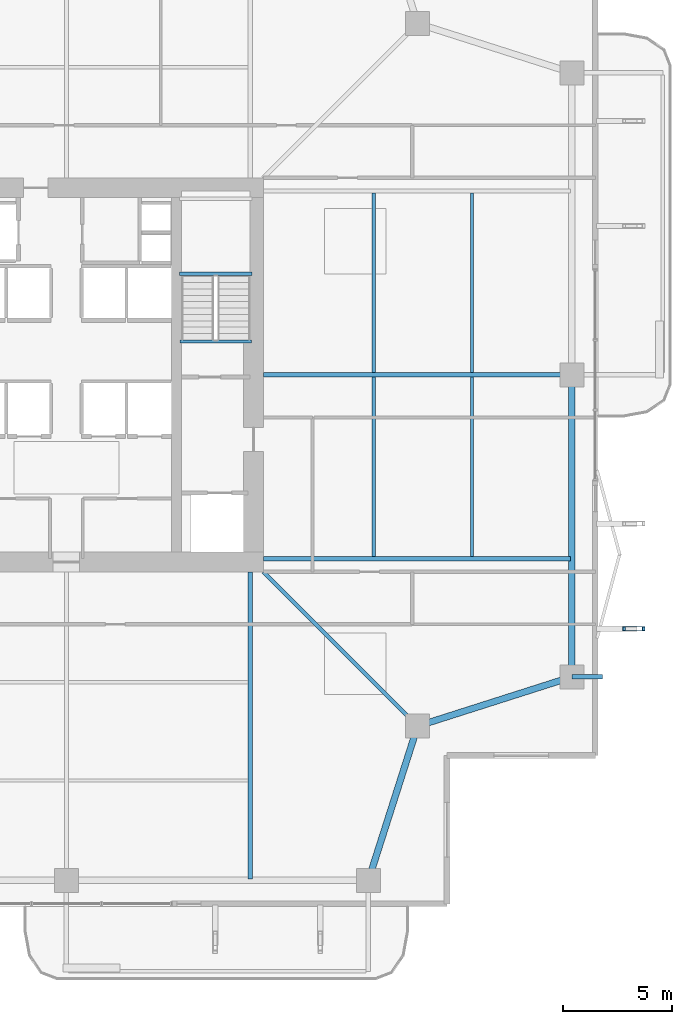
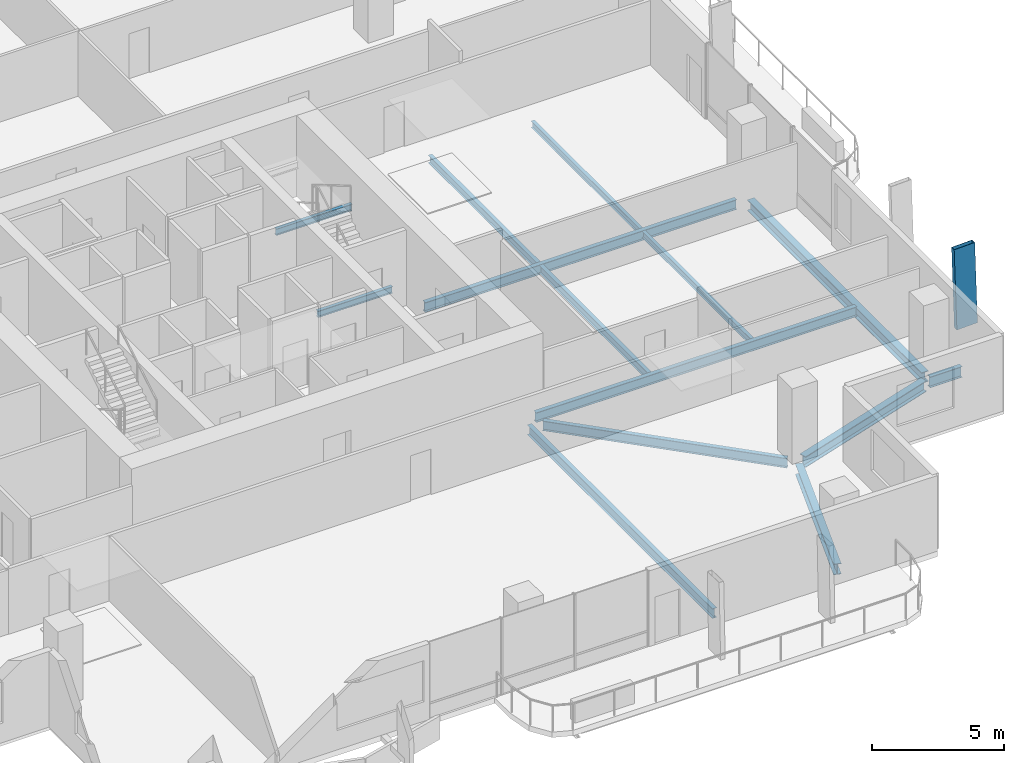
# One storey, part 9 of 24: 14 beams, 1 member.
"""IFC4 building model written with IfcOpenShell, lengths in metres."""

from ifc_helpers import new_model, si_unit, direction, frame, origin, origin_2d, place, context, subcontext, project, spatial, hollow_rectangle, i_section, extrude, material, material_profile, profile_set, type_object, element, save


model = new_model("IFC4")

# Units and contexts
model_context = context("Model", 3, precision=1e-05, world=origin(), true_north=direction((0.0, 1.0)))
body_context = subcontext(model_context, "Body", "Model", "MODEL_VIEW")
ifc_project = project(units=[si_unit("LENGTHUNIT", "METRE"), si_unit("AREAUNIT", "SQUARE_METRE"), si_unit("VOLUMEUNIT", "CUBIC_METRE"), si_unit("PLANEANGLEUNIT", "RADIAN"), si_unit("MASSUNIT", "GRAM", prefix="KILO")], contexts=[model_context])

# Site, building, storey
site_placement = place(None, origin())
site = spatial("IfcSite", under=ifc_project, at=site_placement, CompositionType="ELEMENT")
building_placement = place(site_placement, origin())
building = spatial("IfcBuilding", under=site, at=building_placement, Name="Belovzor Exchange Tower", CompositionType="ELEMENT")
storey_placement = place(building_placement, frame((0.0, 0.0, 145.800048828125)))
storey = spatial("IfcBuildingStorey", under=building, at=storey_placement, Name="L35", CompositionType="ELEMENT", Elevation=145.800048828125)

# Beams
ifc_material_1 = material(Name="Steel S355", Category="steel")
ifc_material_profile_1 = material_profile(ifc_material_1, i_section(OverallWidth=0.199951171875, OverallDepth=0.5, WebThickness=0.01025390625, FlangeThickness=0.01611328125, at=origin_2d()))
ifc_profile_set_1 = profile_set([ifc_material_profile_1], Name="Steel S355")
beam_type_1 = type_object("IfcBeamType", Name="Planted Balcony Cantilever Beam IPE 500", PredefinedType="BEAM", material=ifc_profile_set_1)
beam_1_placement = place(storey_placement, frame((51.89990234375, 15.0, -0.505126953125), z_axis=(1.0, 0.0, 0.0), x_axis=(0.0, 1.0, 0.0)))
element("IfcBeam", 1, at=beam_1_placement, inside=storey, type_object=beam_type_1, Name="BC-500 Planted Balcony Cantilever Beam IPE 500", PredefinedType="BEAM", context=body_context, shape_type="SweptSolid", body=[
    extrude(i_section(OverallWidth=0.199951171875, OverallDepth=0.5, WebThickness=0.01025390625, FlangeThickness=0.01611328125, at=origin_2d()), origin(), (0.0, 0.0, 1.0), 1.400146484375),
])
ifc_material_2 = material(Name="Steel S355", Category="steel")
ifc_material_profile_2 = material_profile(ifc_material_2, i_section(OverallWidth=0.169921875, OverallDepth=0.360107421875, WebThickness=0.008056640625, FlangeThickness=0.0126953125, at=origin_2d()))
ifc_profile_set_2 = profile_set([ifc_material_profile_2], Name="Steel S355")
beam_type_2 = type_object("IfcBeamType", Name="Secondary Infill Floor Joist IPE 360", PredefinedType="BEAM", material=ifc_profile_set_2)
for number, where, z_axis, x_axis, name in (
    (2, (42.84912109375, 20.4951171875, -0.43505859375), (0.0, 1.0, 0.0), (-1.0, 0.0, 0.0), "FJ-360 Secondary Infill Floor Joist IPE 360"),
    (3, (42.84912109375, 28.89501953125, -0.43505859375), (0.0, 1.0, 0.0), (-1.0, 0.0, 0.0), "FJ-360 Secondary Infill Floor Joist IPE 360"),
):
    element("IfcBeam", number, at=place(storey_placement, frame(where, z_axis=z_axis, x_axis=x_axis)), inside=storey, type_object=beam_type_2, Name=name, PredefinedType="BEAM", context=body_context, shape_type="SweptSolid", body=[
        extrude(i_section(OverallWidth=0.169921875, OverallDepth=0.360107421875, WebThickness=0.008056640625, FlangeThickness=0.0126953125, at=origin_2d()), origin(), (0.0, 0.0, 1.0), 8.2099609375),
    ])
ifc_material_3 = material(Name="Steel S355", Category="steel")
ifc_material_profile_3 = material_profile(ifc_material_3, i_section(OverallWidth=0.14990234375, OverallDepth=0.300048828125, WebThickness=0.007080078125, FlangeThickness=0.0107421875, at=origin_2d()))
ifc_profile_set_3 = profile_set([ifc_material_profile_3], Name="Steel S355")
beam_type_3 = type_object("IfcBeamType", Name="Secondary Trim Floor Joist IPE 300", PredefinedType="BEAM", material=ifc_profile_set_3)
beam_2_placement = place(storey_placement, frame((37.280029296875, 33.419921875, 1.52490234375), z_axis=(-1.0, 0.0, 0.0), x_axis=(0.0, -1.0, 0.0)))
element("IfcBeam", 4, at=beam_2_placement, inside=storey, type_object=beam_type_3, Name="FJ-300 Secondary Trim Floor Joist IPE 300", PredefinedType="BEAM", context=body_context, shape_type="SweptSolid", body=[
    extrude(i_section(OverallWidth=0.14990234375, OverallDepth=0.300048828125, WebThickness=0.007080078125, FlangeThickness=0.0107421875, at=origin_2d()), origin(), (0.0, 0.0, 1.0), 3.31005859375),
])
beam_3_placement = place(storey_placement, frame((37.260009765625, 30.320068359375, -0.405029296875), z_axis=(-1.0, 0.0, 0.0), x_axis=(0.0, -1.0, 0.0)))
element("IfcBeam", 5, at=beam_3_placement, inside=storey, type_object=beam_type_3, Name="FJ-300 Secondary Trim Floor Joist IPE 300", PredefinedType="BEAM", context=body_context, shape_type="SweptSolid", body=[
    extrude(i_section(OverallWidth=0.14990234375, OverallDepth=0.300048828125, WebThickness=0.007080078125, FlangeThickness=0.0107421875, at=origin_2d()), origin(), (0.0, 0.0, 1.0), 3.27001953125),
])
for number, where, z_axis, x_axis, name in (
    (6, (47.3369140625, 20.4951171875, -0.405029296875), (0.0, 1.0, 0.0), (-1.0, 0.0, 0.0), "FJ-300 Secondary Trim Floor Joist IPE 300"),
    (7, (47.3369140625, 28.89501953125, -0.405029296875), (0.0, 1.0, 0.0), (-1.0, 0.0, 0.0), "FJ-300 Secondary Trim Floor Joist IPE 300"),
):
    element("IfcBeam", number, at=place(storey_placement, frame(where, z_axis=z_axis, x_axis=x_axis)), inside=storey, type_object=beam_type_3, Name=name, PredefinedType="BEAM", context=body_context, shape_type="SweptSolid", body=[
        extrude(i_section(OverallWidth=0.14990234375, OverallDepth=0.300048828125, WebThickness=0.007080078125, FlangeThickness=0.0107421875, at=origin_2d()), origin(), (0.0, 0.0, 1.0), 8.2099609375),
    ])

# Member
ifc_material_4 = material(Name="Extruded Architectural Terracotta on Steel S355 Carrier", Category="masonry")
ifc_material_profile_4 = material_profile(ifc_material_4, hollow_rectangle(XDim=0.199951171875, YDim=0.89990234375, WallThickness=0.011962890625, at=origin_2d()))
ifc_profile_set_4 = profile_set([ifc_material_profile_4], Name="Extruded Architectural Terracotta on Steel S355 Carrier")
member_type = type_object("IfcMemberType", Name="Sweeping Terracotta Baguette Fin Assembly 1250", PredefinedType="USERDEFINED", material=ifc_profile_set_4)
member_placement = place(storey_placement, frame((54.782958984375, 17.199951171875, -0.255126953125), z_axis=(-0.031689805028, 0.0, 0.999497752002), x_axis=(0.0, -1.0, 0.0)))
element("IfcMember", 8, at=member_placement, inside=storey, type_object=member_type, Name="FIN-TC125 Terracotta Facade Fin L35 E1", ObjectType="FIN", PredefinedType="USERDEFINED", context=body_context, shape_type="SweptSolid", body=[
    extrude(hollow_rectangle(XDim=0.199951171875, YDim=0.89990234375, WallThickness=0.011962890625, at=origin_2d()), origin(), (0.0, 0.0, 1.0), 3.751953125),
])

# Beams
ifc_material_5 = material(Name="Steel S355", Category="steel")
ifc_material_profile_5 = material_profile(ifc_material_5, i_section(OverallWidth=0.18994140625, OverallDepth=0.449951171875, WebThickness=0.009521484375, FlangeThickness=0.0146484375, at=origin_2d()))
ifc_profile_set_5 = profile_set([ifc_material_profile_5], Name="Steel S355")
beam_type_4 = type_object("IfcBeamType", Name="Zone 2-4 Radial Composite Floor Beam IPE 450", PredefinedType="BEAM", material=ifc_profile_set_5)
beam_4_placement = place(storey_placement, frame((37.199951171875, 19.800048828125, -0.47998046875), z_axis=(0.0, -1.0, 0.0), x_axis=(1.0, 0.0, 0.0)))
element("IfcBeam", 9, at=beam_4_placement, inside=storey, type_object=beam_type_4, Name="FB-450 Zone 2-4 Radial Composite Floor Beam IPE 450", PredefinedType="BEAM", context=body_context, shape_type="SweptSolid", body=[
    extrude(i_section(OverallWidth=0.18994140625, OverallDepth=0.449951171875, WebThickness=0.009521484375, FlangeThickness=0.0146484375, at=origin_2d()), origin(), (0.0, 0.0, 1.0), 14.025146484375),
])
beam_5_placement = place(storey_placement, frame((37.800048828125, 20.39990234375, -0.47998046875), z_axis=(1.0, 0.0, 0.0), x_axis=(0.0, 1.0, 0.0)))
element("IfcBeam", 10, at=beam_5_placement, inside=storey, type_object=beam_type_4, Name="FB-450 Zone 2-4 Radial Composite Floor Beam IPE 450", PredefinedType="BEAM", context=body_context, shape_type="SweptSolid", body=[
    extrude(i_section(OverallWidth=0.18994140625, OverallDepth=0.449951171875, WebThickness=0.009521484375, FlangeThickness=0.0146484375, at=origin_2d()), origin(), (0.0, 0.0, 1.0), 14.02490234375),
])
beam_6_placement = place(storey_placement, frame((37.800048828125, 28.800048828125, -0.47998046875), z_axis=(1.0, 0.0, 0.0), x_axis=(0.0, 1.0, 0.0)))
element("IfcBeam", 11, at=beam_6_placement, inside=storey, type_object=beam_type_4, Name="FB-450 Zone 2-4 Radial Composite Floor Beam IPE 450", PredefinedType="BEAM", context=body_context, shape_type="SweptSolid", body=[
    extrude(i_section(OverallWidth=0.18994140625, OverallDepth=0.449951171875, WebThickness=0.009521484375, FlangeThickness=0.0146484375, at=origin_2d()), origin(), (0.0, 0.0, 1.0), 13.615966796875),
])
beam_7_placement = place(storey_placement, frame((37.800048828125, 19.800048828125, -0.47998046875), z_axis=(0.707094040639, -0.707119521505, 0.0), x_axis=(0.707119521505, 0.707094040639, 0.0)))
element("IfcBeam", 12, at=beam_7_placement, inside=storey, type_object=beam_type_4, Name="FB-450 Zone 2-4 Radial Composite Floor Beam IPE 450", PredefinedType="BEAM", context=body_context, shape_type="SweptSolid", body=[
    extrude(i_section(OverallWidth=0.18994140625, OverallDepth=0.449951171875, WebThickness=0.009521484375, FlangeThickness=0.0146484375, at=origin_2d()), origin(), (0.0, 0.0, 1.0), 9.581298828125),
])
ifc_material_6 = material(Name="Steel S355", Category="steel")
ifc_material_profile_6 = material_profile(ifc_material_6, i_section(OverallWidth=0.300048828125, OverallDepth=0.5, WebThickness=0.014404296875, FlangeThickness=0.028076171875, at=origin_2d()))
ifc_profile_set_6 = profile_set([ifc_material_profile_6], Name="Steel S355")
beam_type_5 = type_object("IfcBeamType", Name="Zone 3 Waist Primary Girder HEB 500", PredefinedType="BEAM", material=ifc_profile_set_6)
for number, where, z_axis, x_axis, name in (
    (13, (42.69189453125, 5.988037109375, -0.505126953125), (0.304044336164, 0.952657882792, 0.0), (-0.952657882792, 0.304044336164, 0.0), "FG-Z3 Zone 3 Waist Primary Girder HEB 500"),
    (14, (45.137939453125, 12.842041015625, -0.505126953125), (0.952671608699, 0.304001325621, 0.0), (-0.304001325621, 0.952671608699, 0.0), "FG-Z3 Zone 3 Waist Primary Girder HEB 500"),
):
    element("IfcBeam", number, at=place(storey_placement, frame(where, z_axis=z_axis, x_axis=x_axis)), inside=storey, type_object=beam_type_5, Name=name, PredefinedType="BEAM", context=body_context, shape_type="SweptSolid", body=[
        extrude(i_section(OverallWidth=0.300048828125, OverallDepth=0.5, WebThickness=0.014404296875, FlangeThickness=0.028076171875, at=origin_2d()), origin(), (0.0, 0.0, 1.0), 6.795654296875),
    ])
beam_8_placement = place(storey_placement, frame((51.89990234375, 15.302978515625, -0.505126953125), z_axis=(0.0, 1.0, 0.0), x_axis=(-1.0, 0.0, 0.0)))
element("IfcBeam", 15, at=beam_8_placement, inside=storey, type_object=beam_type_5, Name="FG-Z3 Zone 3 Waist Primary Girder HEB 500", PredefinedType="BEAM", context=body_context, shape_type="SweptSolid", body=[
    extrude(i_section(OverallWidth=0.300048828125, OverallDepth=0.5, WebThickness=0.014404296875, FlangeThickness=0.028076171875, at=origin_2d()), origin(), (0.0, 0.0, 1.0), 13.195068359375),
])

save(model, "model.ifc")
